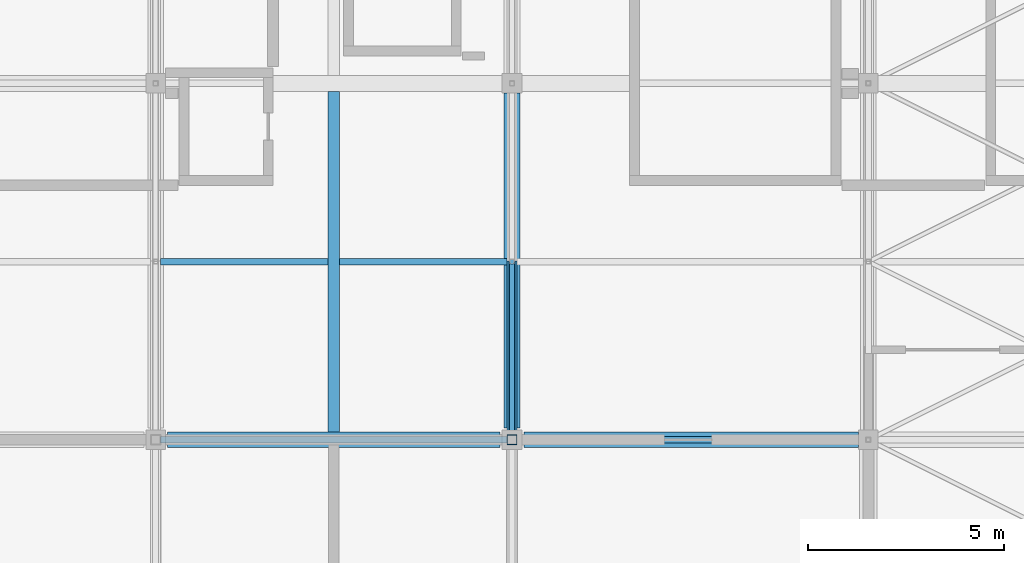
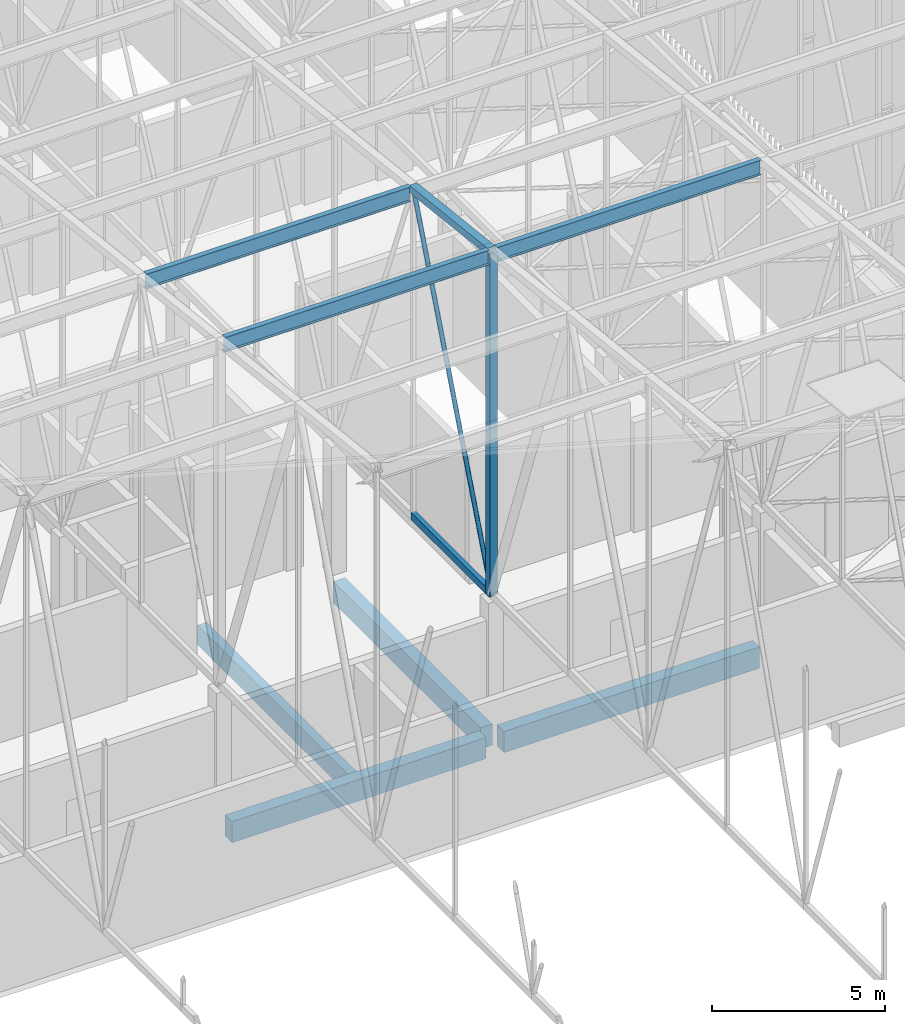
# One storey, part 379 of 500: 7 members, 4 beams.
"""IFC4 building model written with IfcOpenShell, lengths in metres."""

from ifc_helpers import new_model, si_unit, direction, frame, origin, origin_2d, place, context, subcontext, project, spatial, rectangle, hollow_rectangle, hollow_circle, i_section, extrude, material, material_profile, profile_set, type_object, element, save


model = new_model("IFC4")

# Units and contexts
model_context = context("Model", 3, precision=1e-05, world=origin(), true_north=direction((0.0, 1.0)))
body_context = subcontext(model_context, "Body", "Model", "MODEL_VIEW")
ifc_project = project(units=[si_unit("LENGTHUNIT", "METRE"), si_unit("AREAUNIT", "SQUARE_METRE"), si_unit("VOLUMEUNIT", "CUBIC_METRE"), si_unit("PLANEANGLEUNIT", "RADIAN"), si_unit("MASSUNIT", "GRAM", prefix="KILO")], contexts=[model_context])

# Site, building, storey
site_placement = place(None, origin())
site = spatial("IfcSite", under=ifc_project, at=site_placement, CompositionType="ELEMENT")
building_placement = place(site_placement, origin())
building = spatial("IfcBuilding", under=site, at=building_placement, Name="Shirokan Park Arena", CompositionType="ELEMENT")
storey_placement = place(building_placement, frame((0.0, 0.0, 29.1201171875)))
storey = spatial("IfcBuildingStorey", under=building, at=storey_placement, Name="L06", CompositionType="ELEMENT", Elevation=29.1201171875)

# Members
ifc_material_1 = material(Name="Steel ASTM A500 Grade C", Category="steel")
ifc_material_profile_1 = material_profile(ifc_material_1, hollow_rectangle(XDim=0.152099609375, YDim=0.25390625, WallThickness=0.009521484375, at=origin_2d()), Name="HSS254X152.4X9.5")
ifc_profile_set_1 = profile_set([ifc_material_profile_1], Name="Steel ASTM A500 Grade C")
member_type_1 = type_object("IfcMemberType", Name="Bottom chord HSS254X152.4X9.5", PredefinedType="CHORD", material=ifc_profile_set_1)
member_1_placement = place(storey_placement, frame((127.39990234375, 72.800048828125, 4.677001953125), z_axis=(0.0, 1.0, 0.0), x_axis=(-1.0, 0.0, 0.0)))
element("IfcMember", 1, at=member_1_placement, inside=storey, type_object=member_type_1, Name="Truss T15 bottom chord 19", PredefinedType="CHORD", context=body_context, shape_type="SweptSolid", body=[
    extrude(hollow_rectangle(XDim=0.152099609375, YDim=0.25390625, WallThickness=0.009521484375, at=origin_2d()), origin(), (0.0, 0.0, 1.0), 4.550048828125),
])
ifc_material_2 = material(Name="Steel ASTM A992", Category="steel")
ifc_material_profile_2 = material_profile(ifc_material_2, i_section(OverallWidth=0.166015625, OverallDepth=0.528076171875, WebThickness=0.009765625, FlangeThickness=0.013671875, at=origin_2d()), Name="W530X74")
ifc_profile_set_2 = profile_set([ifc_material_profile_2], Name="Steel ASTM A992")
member_type_2 = type_object("IfcMemberType", Name="Purlin W530X74", PredefinedType="PURLIN", material=ifc_profile_set_2)
for number, where, z_axis, x_axis, name in (
    (2, (118.427001953125, 72.800048828125, 16.64599609375), (1.0, 0.0, 0.0), (0.0, 1.0, 0.0), "Purlin 19 bay 14"),
    (3, (127.527099609375, 72.800048828125, 16.64599609375), (1.0, 0.0, 0.0), (0.0, 1.0, 0.0), "Purlin 19 bay 15"),
    (4, (118.427001953125, 77.35009765625, 16.1259765625), (1.0, 0.0, 0.0), (0.0, 1.0, 0.0), "Purlin 20 bay 14"),
):
    element("IfcMember", number, at=place(storey_placement, frame(where, z_axis=z_axis, x_axis=x_axis)), inside=storey, type_object=member_type_2, Name=name, PredefinedType="PURLIN", context=body_context, shape_type="SweptSolid", body=[
        extrude(i_section(OverallWidth=0.166015625, OverallDepth=0.528076171875, WebThickness=0.009765625, FlangeThickness=0.013671875, at=origin_2d()), origin(), (0.0, 0.0, 1.0), 8.845947265625),
    ])

# Beams
ifc_material_3 = material(Name="Concrete C35", Category="concrete")
ifc_material_profile_3 = material_profile(ifc_material_3, rectangle(XDim=0.39990234375, YDim=0.75, at=origin_2d()), Name="400x750")
ifc_profile_set_3 = profile_set([ifc_material_profile_3], Name="Concrete C35")
beam_type_1 = type_object("IfcBeamType", Name="RC girder 400x750", PredefinedType="BEAM", material=ifc_profile_set_3)
beam_1_placement = place(storey_placement, frame((118.60009765625, 72.800048828125, -0.5751953125), z_axis=(1.0, 0.0, 0.0), x_axis=(0.0, 1.0, 0.0)))
element("IfcBeam", 5, at=beam_1_placement, inside=storey, type_object=beam_type_1, Name="Girder 14J-15J L06", PredefinedType="BEAM", context=body_context, shape_type="SweptSolid", body=[
    extrude(rectangle(XDim=0.39990234375, YDim=0.75, at=origin_2d()), origin(), (0.0, 0.0, 1.0), 8.499755859375),
])
for number, where, z_axis, x_axis, name in (
    (6, (127.7001953125, 72.800048828125, -0.5751953125), (1.0, 0.0, 0.0), (0.0, 1.0, 0.0), "Girder 15J-16J L06"),
    (7, (127.39990234375, 73.10009765625, -0.5751953125), (0.0, 1.0, 0.0), (-1.0, 0.0, 0.0), "Girder 15J-15K L06"),
):
    element("IfcBeam", number, at=place(storey_placement, frame(where, z_axis=z_axis, x_axis=x_axis)), inside=storey, type_object=beam_type_1, Name=name, PredefinedType="BEAM", context=body_context, shape_type="SweptSolid", body=[
        extrude(rectangle(XDim=0.39990234375, YDim=0.75, at=origin_2d()), origin(), (0.0, 0.0, 1.0), 8.5498046875),
    ])
ifc_material_profile_4 = material_profile(ifc_material_3, rectangle(XDim=0.300048828125, YDim=0.699951171875, at=origin_2d()), Name="300x700")
ifc_profile_set_4 = profile_set([ifc_material_profile_4], Name="Concrete C35")
beam_type_2 = type_object("IfcBeamType", Name="RC joist 300x700", PredefinedType="JOIST", material=ifc_profile_set_4)
beam_2_placement = place(storey_placement, frame((122.85009765625, 73.0, -0.550048828125), z_axis=(0.0, 1.0, 0.0), x_axis=(-1.0, 0.0, 0.0)))
element("IfcBeam", 8, at=beam_2_placement, inside=storey, type_object=beam_type_2, Name="Joist 14J L06", PredefinedType="JOIST", context=body_context, shape_type="SweptSolid", body=[
    extrude(rectangle(XDim=0.300048828125, YDim=0.699951171875, at=origin_2d()), origin(), (0.0, 0.0, 1.0), 8.699951171875),
])

# Members
ifc_material_profile_5 = material_profile(ifc_material_1, hollow_rectangle(XDim=0.25390625, YDim=0.25390625, WallThickness=0.009521484375, at=origin_2d()), Name="HSS254X254X9.5")
ifc_profile_set_5 = profile_set([ifc_material_profile_5], Name="Steel ASTM A500 Grade C")
member_type_3 = type_object("IfcMemberType", Name="Top chord HSS254X254X9.5", PredefinedType="CHORD", material=ifc_profile_set_5)
member_2_placement = place(storey_placement, frame((127.39990234375, 72.800048828125, 16.782958984375), z_axis=(0.0, 0.993532328996, -0.113549598152), x_axis=(-1.0, 0.0, 0.0)))
element("IfcMember", 9, at=member_2_placement, inside=storey, type_object=member_type_3, Name="Truss T15 top chord 19", PredefinedType="CHORD", context=body_context, shape_type="SweptSolid", body=[
    extrude(hollow_rectangle(XDim=0.25390625, YDim=0.25390625, WallThickness=0.009521484375, at=origin_2d()), origin(), (0.0, 0.0, 1.0), 4.57958984375),
])
ifc_material_profile_6 = material_profile(ifc_material_1, hollow_circle(Radius=0.070556640625, WallThickness=0.006591796875, at=origin_2d()), Name="HSS141.3X6.6")
ifc_profile_set_6 = profile_set([ifc_material_profile_6], Name="Steel ASTM A500 Grade C")
member_type_4 = type_object("IfcMemberType", Name="Truss diagonal HSS141.3X6.6", PredefinedType="BRACE", material=ifc_profile_set_6)
member_3_placement = place(storey_placement, frame((127.39990234375, 72.800048828125, 4.677001953125), z_axis=(0.0, 0.365543139237, 0.930794399079), x_axis=(-1.0, 0.0, 0.0)))
element("IfcMember", 10, at=member_3_placement, inside=storey, type_object=member_type_4, Name="Truss T15 diagonal 19", PredefinedType="BRACE", context=body_context, shape_type="SweptSolid", body=[
    extrude(hollow_circle(Radius=0.070556640625, WallThickness=0.006591796875, at=origin_2d()), origin(), (0.0, 0.0, 1.0), 12.447265625),
])
ifc_material_profile_7 = material_profile(ifc_material_1, hollow_rectangle(XDim=0.25390625, YDim=0.25390625, WallThickness=0.009521484375, at=origin_2d()), Name="HSS254X254X9.5")
ifc_profile_set_7 = profile_set([ifc_material_profile_7], Name="Steel ASTM A500 Grade C")
member_type_5 = type_object("IfcMemberType", Name="Truss post HSS254X254X9.5", PredefinedType="POST", material=ifc_profile_set_7)
member_4_placement = place(storey_placement, frame((127.39990234375, 72.800048828125, 4.677001953125), z_axis=(0.0, 0.0, 1.0), x_axis=(1.0, 0.0, 0.0)))
element("IfcMember", 11, at=member_4_placement, inside=storey, type_object=member_type_5, Name="Truss T15 post 19", PredefinedType="POST", context=body_context, shape_type="SweptSolid", body=[
    extrude(hollow_rectangle(XDim=0.25390625, YDim=0.25390625, WallThickness=0.009521484375, at=origin_2d()), origin(), (0.0, 0.0, 1.0), 12.10595703125),
])

save(model, "model.ifc")
